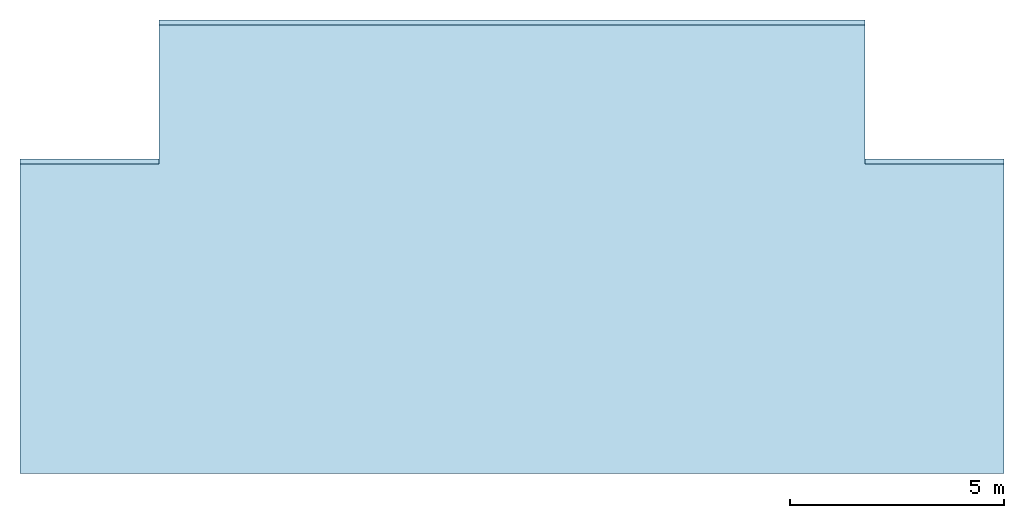
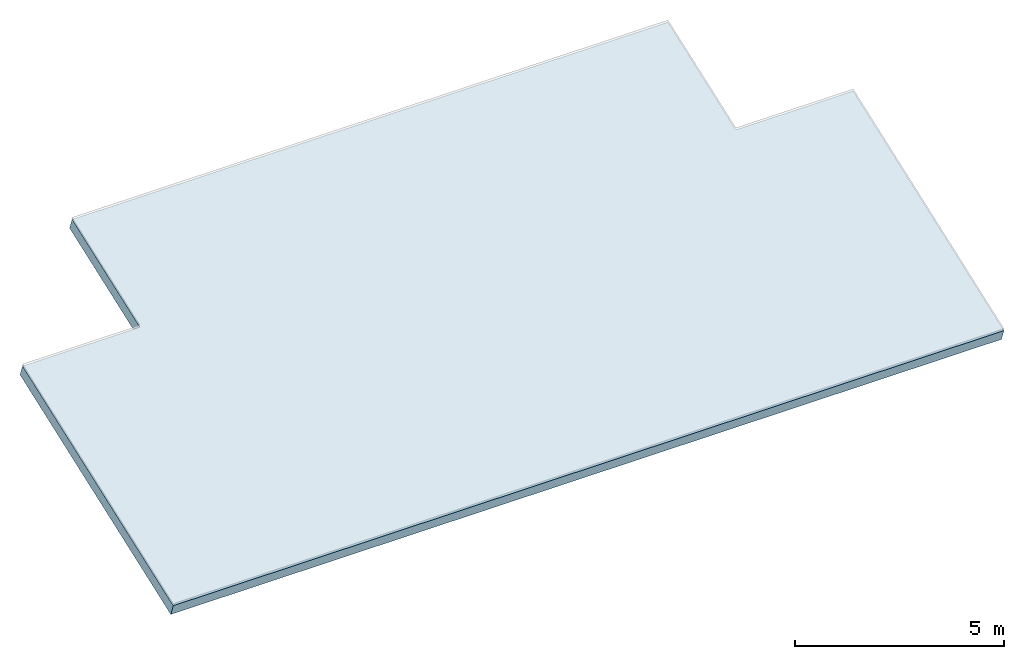
# One storey, part 1 of 2: 1 slab.
"""IFC4 building model written with IfcOpenShell, lengths in metres."""

from ifc_helpers import new_model, si_unit, direction, frame, origin, place, context, subcontext, project, spatial, polyline, outline, extrude, material, layer, layer_set, type_object, element, save


model = new_model("IFC4")

# Units and contexts
model_context = context("Model", 3, precision=1e-05, world=origin(), true_north=direction((0.0, 1.0)))
body_context = subcontext(model_context, "Body", "Model", "MODEL_VIEW")
ifc_project = project(units=[si_unit("LENGTHUNIT", "METRE"), si_unit("AREAUNIT", "SQUARE_METRE"), si_unit("VOLUMEUNIT", "CUBIC_METRE"), si_unit("PLANEANGLEUNIT", "RADIAN"), si_unit("MASSUNIT", "GRAM", prefix="KILO")], contexts=[model_context])

# Site, building, storey
site_placement = place(None, origin())
site = spatial("IfcSite", under=ifc_project, at=site_placement, CompositionType="ELEMENT")
building_placement = place(site_placement, origin())
building = spatial("IfcBuilding", under=site, at=building_placement, Name="Barlavira Tower and Art Museum", CompositionType="ELEMENT")
storey_placement = place(building_placement, frame((0.0, 0.0, 332.10009765625)))
storey = spatial("IfcBuildingStorey", under=building, at=storey_placement, Name="Roof", CompositionType="ELEMENT", Elevation=332.10009765625)

# Slab
ifc_material = material(Name="Precast concrete C50", Category="concrete")
ifc_layer = layer(ifc_material, 0.35009765625, Name="Precast concrete C50")
ifc_layer_set = layer_set([ifc_layer], Name="Precast concrete C50")
slab_type = type_object("IfcSlabType", Name="Chisel Crown Sloped Roof Slab 350 Precast Concrete C50", PredefinedType="ROOF", material=ifc_layer_set)
slab_placement = place(storey_placement, frame((-11.5, 4.02001953125, -3.814453125), z_axis=(0.0, -0.342019712288, 0.939692777671), x_axis=(1.0, 0.0, 0.0)))
element("IfcSlab", 1, at=slab_placement, inside=storey, type_object=slab_type, Name="Crown Ridge Sloped Chisel Roof Slab", PredefinedType="ROOF", context=body_context, shape_type="SweptSolid", body=[
    extrude(outline(polyline([(0.0, 0.0), (23.0, 0.0), (23.0, 7.693933197504763), (19.75, 7.693933197504763), (19.75, 11.1525801169627), (3.25, 11.1525801169627), (3.25, 7.693933197504763), (0.0, 7.693933197504763), (0.0, 0.0)])), origin(), (0.0, 0.0, -1.0), 0.35009765625),
])

save(model, "model.ifc")
